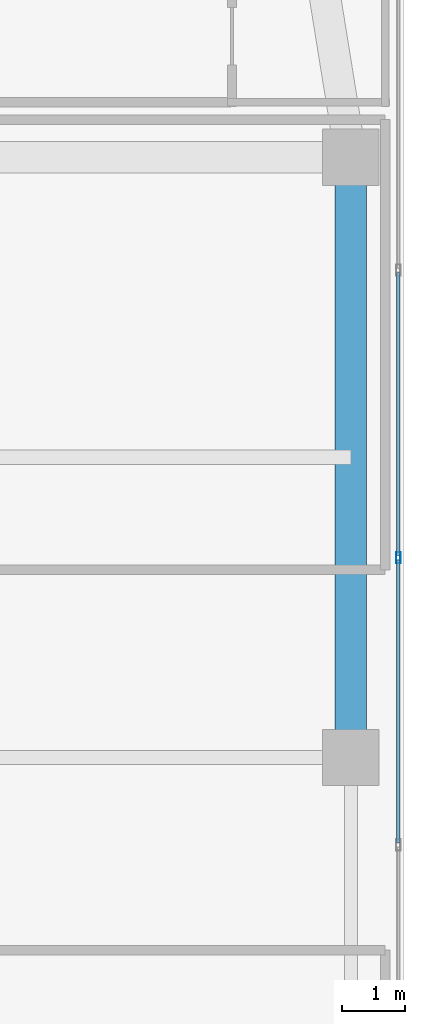
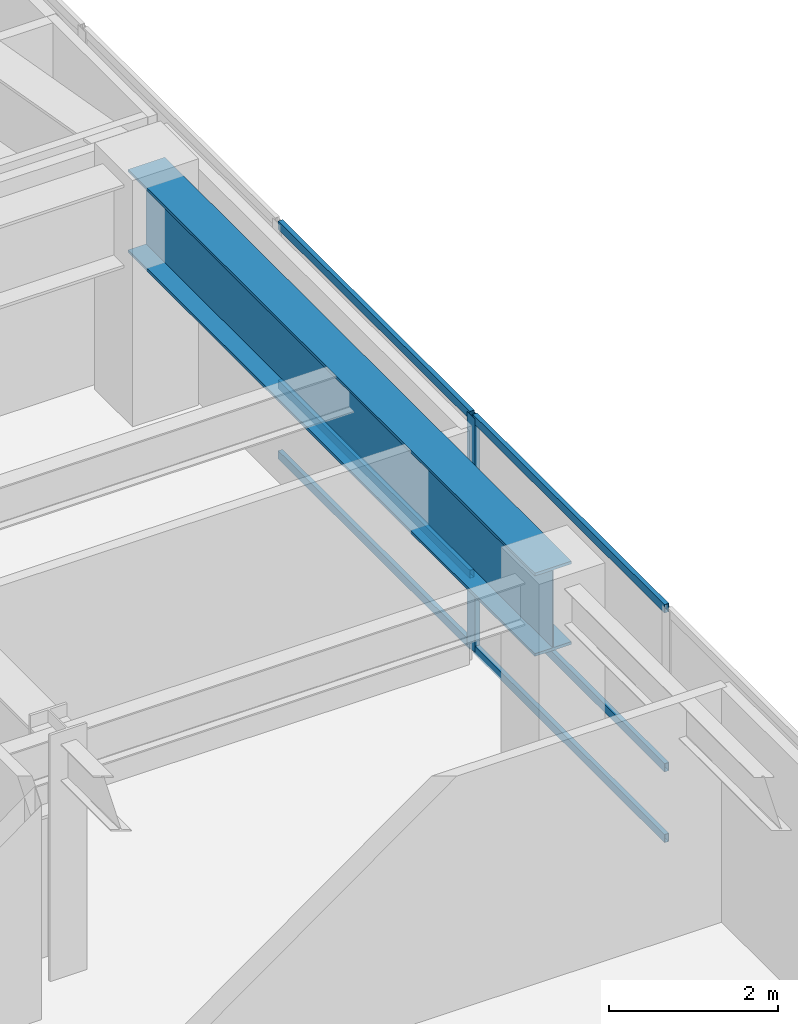
# One storey, part 12 of 25: 7 members, 1 beam, 1 element without a shape of its own.
"""IFC4 building model written with IfcOpenShell, lengths in metres."""

from ifc_helpers import new_model, si_unit, direction, frame, origin, origin_2d, place, context, subcontext, project, spatial, hollow_rectangle, i_section, extrude, source, transform, mapped, material, layer, layer_set, material_profile, profile_set, type_object, type_shapes, element, aggregate, save


model = new_model("IFC4")

# Units and contexts
model_context = context("Model", 3, precision=1e-05, world=origin(), true_north=direction((0.0, 1.0)))
body_context = subcontext(model_context, "Body", "Model", "MODEL_VIEW")
ifc_project = project(units=[si_unit("LENGTHUNIT", "METRE"), si_unit("AREAUNIT", "SQUARE_METRE"), si_unit("VOLUMEUNIT", "CUBIC_METRE"), si_unit("PLANEANGLEUNIT", "RADIAN"), si_unit("MASSUNIT", "GRAM", prefix="KILO")], contexts=[model_context])

# Site, building, storey
site_placement = place(None, origin())
site = spatial("IfcSite", under=ifc_project, at=site_placement, CompositionType="ELEMENT")
building_placement = place(site_placement, origin())
building = spatial("IfcBuilding", under=site, at=building_placement, Name="Tolvann Quenvar Hotel", CompositionType="ELEMENT")
storey_placement = place(building_placement, frame((0.0, 0.0, 122.199951171875)))
storey = spatial("IfcBuildingStorey", under=building, at=storey_placement, Name="L31", CompositionType="ELEMENT", Elevation=122.199951171875)

# Beam
ifc_material_1 = material(Name="Steel Grade 350", Category="steel")
ifc_material_profile_1 = material_profile(ifc_material_1, i_section(OverallWidth=0.5, OverallDepth=1.199951171875, WebThickness=0.01611328125, FlangeThickness=0.0400390625, at=origin_2d()), Name="1200WB455")
ifc_profile_set_1 = profile_set([ifc_material_profile_1], Name="Steel Grade 350")
beam_type = type_object("IfcBeamType", Name="BM_TG_1200WB455", PredefinedType="USERDEFINED", material=ifc_profile_set_1)
shared_shape_1 = source(origin(), body_context, "Body", "SweptSolid", [
    extrude(i_section(OverallWidth=0.5, OverallDepth=1.199951171875, WebThickness=0.01611328125, FlangeThickness=0.0400390625, at=origin_2d()), origin(), (0.0, 0.0, 1.0), 9.60009765625),
])
type_shapes(beam_type, [shared_shape_1])
beam_placement = place(storey_placement, frame((56.14990234375, 24.39990234375, 2.77001953125), z_axis=(0.0, 1.0, 0.0), x_axis=(-1.0, 0.0, 0.0)))
element("IfcBeam", 1, at=beam_placement, inside=storey, type_object=beam_type, Name="BM-L31-FLK-E1", ObjectType="TRANSFER GIRDER", PredefinedType="USERDEFINED", context=body_context, shape_type="MappedRepresentation", body=[
    mapped(shared_shape_1, transform((0.0, 0.0, 0.0), x_axis=(1.0, 0.0, 0.0), y_axis=(0.0, 1.0, 0.0), z_axis=(0.0, 0.0, 1.0), scale=1.0)),
])

# Curtain wall, members
ifc_material_2 = material(Name="Thermally broken anodised architectural aluminium 6063-T6 and laminated low-E glass", Category="aluminium")
ifc_layer = layer(ifc_material_2, 0.179931640625)
ifc_layer_set = layer_set([ifc_layer], Name="Thermally broken anodised architectural aluminium 6063-T6 and laminated low-E glass")
curtain_wall_type = type_object("IfcCurtainWallType", Name="CW_SYS_BAND_04", PredefinedType="USERDEFINED", material=ifc_layer_set)
curtain_wall_placement = place(storey_placement, origin())
curtain_wall = element("IfcCurtainWall", 2, at=curtain_wall_placement, inside=storey, type_object=curtain_wall_type, Name="Curtain Wall CW-BAND-04 (CWR-L31-E13)", ObjectType="UNITISED CURTAIN WALL", PredefinedType="USERDEFINED")
ifc_material_3 = material(Name="Anodised architectural aluminium 6063-T6 framing", Category="aluminium")
ifc_material_profile_2 = material_profile(ifc_material_3, hollow_rectangle(XDim=0.070068359375, YDim=0.179931640625, WallThickness=0.00390625, at=origin_2d()), Name="180x70x4RHS")
ifc_profile_set_2 = profile_set([ifc_material_profile_2], Name="Anodised architectural aluminium 6063-T6 framing")
member_type_1 = type_object("IfcMemberType", Name="CW_MULL_180x70", PredefinedType="MULLION", material=ifc_profile_set_2)
shared_shape_2 = source(origin(), body_context, "Body", "SweptSolid", [
    extrude(hollow_rectangle(XDim=0.070068359375, YDim=0.179931640625, WallThickness=0.00390625, at=origin_2d()), origin(), (0.0, 0.0, 1.0), 3.3701171875),
])
type_shapes(member_type_1, [shared_shape_2])
member_1_placement = place(storey_placement, frame((56.909912109375, 27.595703125, 0.0), z_axis=(0.0, 0.0, 1.0), x_axis=(-1.0, 0.0, 0.0)))
member_1 = element("IfcMember", 3, at=member_1_placement, type_object=member_type_1, Name="CW-BAND-04 mullion 6", PredefinedType="MULLION", context=body_context, shape_type="MappedRepresentation", body=[
    mapped(shared_shape_2, transform((0.0, 0.0, 0.0), x_axis=(1.0, 0.0, 0.0), y_axis=(0.0, 1.0, 0.0), z_axis=(0.0, 0.0, 1.0), scale=1.0)),
])
ifc_material_profile_3 = material_profile(ifc_material_3, hollow_rectangle(XDim=0.06005859375, YDim=0.1201171875, WallThickness=0.00341796875, at=origin_2d()), Name="120x60x3.5RHS")
ifc_profile_set_3 = profile_set([ifc_material_profile_3], Name="Anodised architectural aluminium 6063-T6 framing")
member_type_2 = type_object("IfcMemberType", Name="CW_TRAN_120x60", PredefinedType="USERDEFINED", material=ifc_profile_set_3)
shared_shape_3 = source(origin(), body_context, "Body", "SweptSolid", [
    extrude(hollow_rectangle(XDim=0.06005859375, YDim=0.1201171875, WallThickness=0.00341796875, at=origin_2d()), origin(), (0.0, 0.0, 1.0), 4.52587890625),
])
type_shapes(member_type_2, [shared_shape_3])
member_2_placement = place(storey_placement, frame((56.909912109375, 23.034912109375, 0.030029296875), z_axis=(0.0, 1.0, 0.0), x_axis=(-1.0, 0.0, 0.0)))
member_2 = element("IfcMember", 4, at=member_2_placement, type_object=member_type_2, Name="CW-BAND-04 transom 5.1", ObjectType="TRANSOM", PredefinedType="USERDEFINED", context=body_context, shape_type="MappedRepresentation", body=[
    mapped(shared_shape_3, transform((0.0, 0.0, 0.0), x_axis=(1.0, 0.0, 0.0), y_axis=(0.0, 1.0, 0.0), z_axis=(0.0, 0.0, 1.0), scale=1.0)),
])
member_3_placement = place(storey_placement, frame((56.909912109375, 23.034912109375, 1.050048828125), z_axis=(0.0, 1.0, 0.0), x_axis=(-1.0, 0.0, 0.0)))
member_3 = element("IfcMember", 5, at=member_3_placement, type_object=member_type_2, Name="CW-BAND-04 transom 5.2", ObjectType="TRANSOM", PredefinedType="USERDEFINED", context=body_context, shape_type="MappedRepresentation", body=[
    mapped(shared_shape_3, transform((0.0, 0.0, 0.0), x_axis=(1.0, 0.0, 0.0), y_axis=(0.0, 1.0, 0.0), z_axis=(0.0, 0.0, 1.0), scale=1.0)),
])
member_4_placement = place(storey_placement, frame((56.909912109375, 23.034912109375, 3.340087890625), z_axis=(0.0, 1.0, 0.0), x_axis=(-1.0, 0.0, 0.0)))
member_4 = element("IfcMember", 6, at=member_4_placement, type_object=member_type_2, Name="CW-BAND-04 transom 5.3", ObjectType="TRANSOM", PredefinedType="USERDEFINED", context=body_context, shape_type="MappedRepresentation", body=[
    mapped(shared_shape_3, transform((0.0, 0.0, 0.0), x_axis=(1.0, 0.0, 0.0), y_axis=(0.0, 1.0, 0.0), z_axis=(0.0, 0.0, 1.0), scale=1.0)),
])
member_5_placement = place(storey_placement, frame((56.909912109375, 27.630615234375, 0.030029296875), z_axis=(0.0, 1.0, 0.0), x_axis=(-1.0, 0.0, 0.0)))
member_5 = element("IfcMember", 7, at=member_5_placement, type_object=member_type_2, Name="CW-BAND-04 transom 6.1", ObjectType="TRANSOM", PredefinedType="USERDEFINED", context=body_context, shape_type="MappedRepresentation", body=[
    mapped(shared_shape_3, transform((0.0, 0.0, 0.0), x_axis=(1.0, 0.0, 0.0), y_axis=(0.0, 1.0, 0.0), z_axis=(0.0, 0.0, 1.0), scale=1.0)),
])
member_6_placement = place(storey_placement, frame((56.909912109375, 27.630615234375, 1.050048828125), z_axis=(0.0, 1.0, 0.0), x_axis=(-1.0, 0.0, 0.0)))
member_6 = element("IfcMember", 8, at=member_6_placement, type_object=member_type_2, Name="CW-BAND-04 transom 6.2", ObjectType="TRANSOM", PredefinedType="USERDEFINED", context=body_context, shape_type="MappedRepresentation", body=[
    mapped(shared_shape_3, transform((0.0, 0.0, 0.0), x_axis=(1.0, 0.0, 0.0), y_axis=(0.0, 1.0, 0.0), z_axis=(0.0, 0.0, 1.0), scale=1.0)),
])
member_7_placement = place(storey_placement, frame((56.909912109375, 27.630615234375, 3.340087890625), z_axis=(0.0, 1.0, 0.0), x_axis=(-1.0, 0.0, 0.0)))
member_7 = element("IfcMember", 9, at=member_7_placement, type_object=member_type_2, Name="CW-BAND-04 transom 6.3", ObjectType="TRANSOM", PredefinedType="USERDEFINED", context=body_context, shape_type="MappedRepresentation", body=[
    mapped(shared_shape_3, transform((0.0, 0.0, 0.0), x_axis=(1.0, 0.0, 0.0), y_axis=(0.0, 1.0, 0.0), z_axis=(0.0, 0.0, 1.0), scale=1.0)),
])
aggregate(curtain_wall, [member_1, member_2, member_3, member_4, member_5, member_6, member_7])

save(model, "model.ifc")
